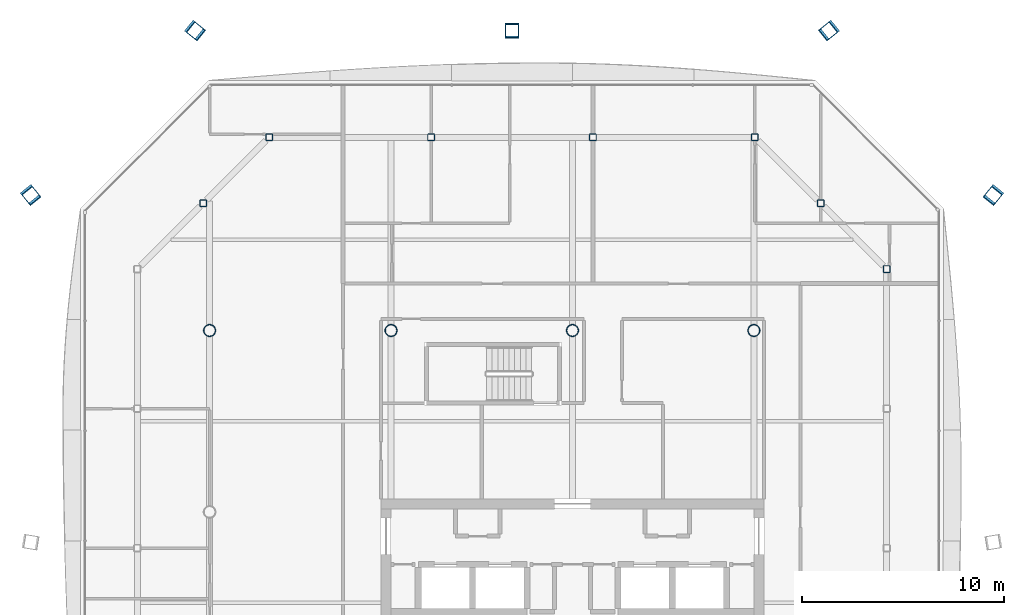
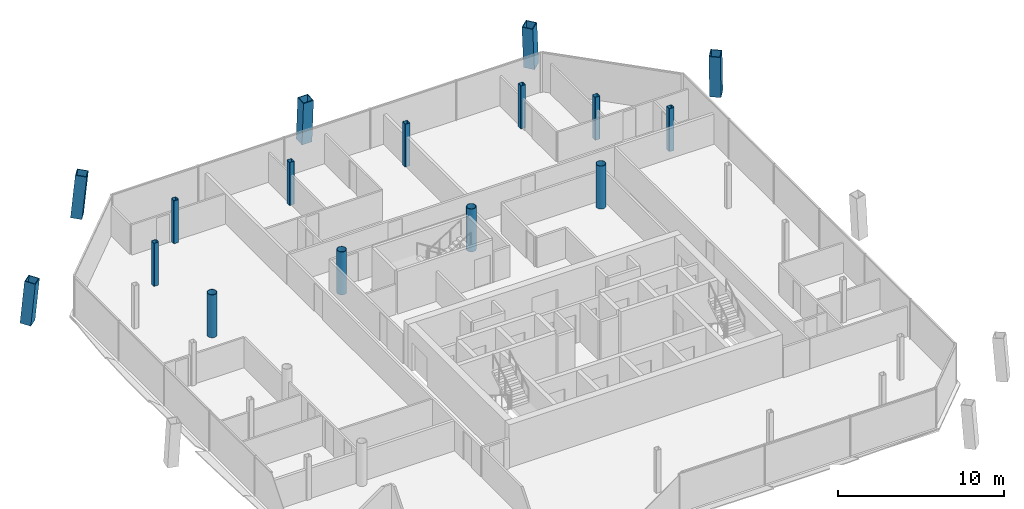
# One storey, part 3 of 20: 16 columns.
"""IFC4 building model written with IfcOpenShell, lengths in metres."""

from ifc_helpers import new_model, si_unit, direction, frame, origin, origin_2d, place, context, subcontext, project, spatial, hollow_rectangle, hollow_circle, extrude, material, material_profile, profile_set, type_object, element, save


model = new_model("IFC4")

# Units and contexts
model_context = context("Model", 3, precision=1e-05, world=origin(), true_north=direction((0.0, 1.0)))
body_context = subcontext(model_context, "Body", "Model", "MODEL_VIEW")
ifc_project = project(units=[si_unit("LENGTHUNIT", "METRE"), si_unit("AREAUNIT", "SQUARE_METRE"), si_unit("VOLUMEUNIT", "CUBIC_METRE"), si_unit("PLANEANGLEUNIT", "RADIAN"), si_unit("MASSUNIT", "GRAM", prefix="KILO")], contexts=[model_context])

# Site, building, storey
site_placement = place(None, origin())
site = spatial("IfcSite", under=ifc_project, at=site_placement, CompositionType="ELEMENT")
building_placement = place(site_placement, origin())
building = spatial("IfcBuilding", under=site, at=building_placement, Name="Tskaro Facet Tower", CompositionType="ELEMENT")
storey_placement = place(building_placement, frame((0.0, 0.0, 178.5)))
storey = spatial("IfcBuildingStorey", under=building, at=storey_placement, Name="L44", CompositionType="ELEMENT", Elevation=178.5)

# Columns
ifc_material_1 = material(Name="Steel S460M", Category="steel")
ifc_material_profile_1 = material_profile(ifc_material_1, hollow_rectangle(XDim=0.699951171875, YDim=0.699951171875, WallThickness=0.044921875, at=origin_2d()), Name="BOX 700x700x45")
ifc_profile_set_1 = profile_set([ifc_material_profile_1], Name="Steel S460M")
column_type_1 = type_object("IfcColumnType", Name="BOX 700x700x45 mega column", PredefinedType="COLUMN", material=ifc_profile_set_1)
for number, where, z_axis, x_axis, name in (
    (1, (20.910888671875, 15.762939453125, 0.0), (-0.057805961616, -0.071775092527, 0.995744348161), (0.778822091241, -0.627244888537, 0.0), "BOX 700x700x45 MC06/4"),
    (2, (12.762939453125, 23.910888671875, 0.0), (-0.071775092527, -0.057805961616, 0.995744348161), (0.627244888537, -0.778822091241, 0.0), "BOX 700x700x45 MC07/4"),
):
    element("IfcColumn", number, at=place(storey_placement, frame(where, z_axis=z_axis, x_axis=x_axis)), inside=storey, type_object=column_type_1, Name=name, PredefinedType="COLUMN", context=body_context, shape_type="SweptSolid", body=[
        extrude(hollow_rectangle(XDim=0.699951171875, YDim=0.699951171875, WallThickness=0.044921875, at=origin_2d()), origin(), (0.0, 0.0, 1.0), 3.163330078125),
    ])
column_placement = place(storey_placement, frame((-3.0, 23.910888671875, 0.0), z_axis=(0.0, -0.057955437846, 0.998319171019), x_axis=(1.0, 0.0, 0.0)))
element("IfcColumn", 3, at=column_placement, inside=storey, type_object=column_type_1, Name="BOX 700x700x45 MC08/4", PredefinedType="COLUMN", context=body_context, shape_type="SweptSolid", body=[
    extrude(hollow_rectangle(XDim=0.699951171875, YDim=0.699951171875, WallThickness=0.044921875, at=origin_2d()), origin(), (0.0, 0.0, 1.0), 3.1552734375),
])
for number, where, z_axis, x_axis, name in (
    (4, (-18.762939453125, 23.910888671875, 0.0), (0.071775092527, -0.057805961616, 0.995744348161), (0.627244888537, 0.778822091241, 0.0), "BOX 700x700x45 MC09/4"),
    (5, (-26.910888671875, 15.762939453125, 0.0), (0.057805961616, -0.071775092527, 0.995744348161), (0.778822091241, 0.627244888537, 0.0), "BOX 700x700x45 MC10/4"),
):
    element("IfcColumn", number, at=place(storey_placement, frame(where, z_axis=z_axis, x_axis=x_axis)), inside=storey, type_object=column_type_1, Name=name, PredefinedType="COLUMN", context=body_context, shape_type="SweptSolid", body=[
        extrude(hollow_rectangle(XDim=0.699951171875, YDim=0.699951171875, WallThickness=0.044921875, at=origin_2d()), origin(), (0.0, 0.0, 1.0), 3.163330078125),
    ])
ifc_material_2 = material(Name="Steel S355J2H", Category="steel")
ifc_material_profile_2 = material_profile(ifc_material_2, hollow_circle(Radius=0.304931640625, WallThickness=0.030029296875, at=origin_2d()), Name="CHS 610x30")
ifc_profile_set_2 = profile_set([ifc_material_profile_2], Name="Steel S355J2H")
column_type_2 = type_object("IfcColumnType", Name="CHS 610x30 interior column", PredefinedType="COLUMN", material=ifc_profile_set_2)
for number, where, z_axis, x_axis, name in (
    (6, (-18.0, 9.0, 0.0), (0.0, 0.0, 1.0), (1.0, 0.0, 0.0), "CHS 610x30 C2E/4"),
    (7, (-9.0, 9.0, 0.0), (0.0, 0.0, 1.0), (1.0, 0.0, 0.0), "CHS 610x30 C3E/4"),
    (8, (0.0, 9.0, 0.0), (0.0, 0.0, 1.0), (1.0, 0.0, 0.0), "CHS 610x30 C4E/4"),
    (9, (9.0, 9.0, 0.0), (0.0, 0.0, 1.0), (1.0, 0.0, 0.0), "CHS 610x30 C5E/4"),
):
    element("IfcColumn", number, at=place(storey_placement, frame(where, z_axis=z_axis, x_axis=x_axis)), inside=storey, type_object=column_type_2, Name=name, PredefinedType="COLUMN", context=body_context, shape_type="SweptSolid", body=[
        extrude(hollow_circle(Radius=0.304931640625, WallThickness=0.030029296875, at=origin_2d()), origin(), (0.0, 0.0, 1.0), 3.14990234375),
    ])
ifc_material_profile_3 = material_profile(ifc_material_2, hollow_rectangle(XDim=0.35009765625, YDim=0.35009765625, WallThickness=0.02001953125, InnerFilletRadius=0.030029296875, OuterFilletRadius=0.050048828125, at=origin_2d()), Name="SHS 350x350x20")
ifc_profile_set_3 = profile_set([ifc_material_profile_3], Name="Steel S355J2H")
column_type_3 = type_object("IfcColumnType", Name="SHS 350x350x20 ring column", PredefinedType="COLUMN", material=ifc_profile_set_3)
for number, where, z_axis, x_axis, name in (
    (10, (15.5830078125, 12.0458984375, 0.0), (0.0, 0.0, 1.0), (1.0, 0.0, 0.0), "SHS 350x350x20 RNE-1/4"),
    (11, (12.31396484375, 15.31396484375, 0.0), (0.0, 0.0, 1.0), (1.0, 0.0, 0.0), "SHS 350x350x20 RNE-2/4"),
    (12, (9.0458984375, 18.5830078125, 0.0), (0.0, 0.0, 1.0), (1.0, 0.0, 0.0), "SHS 350x350x20 RN-1/4"),
    (13, (1.014892578125, 18.5830078125, 0.0), (0.0, 0.0, 1.0), (1.0, 0.0, 0.0), "SHS 350x350x20 RN-2/4"),
    (14, (-7.014892578125, 18.5830078125, 0.0), (0.0, 0.0, 1.0), (1.0, 0.0, 0.0), "SHS 350x350x20 RN-3/4"),
    (15, (-15.0458984375, 18.5830078125, 0.0), (0.0, 0.0, 1.0), (1.0, 0.0, 0.0), "SHS 350x350x20 RNW-1/4"),
    (16, (-18.31396484375, 15.31396484375, 0.0), (0.0, 0.0, 1.0), (1.0, 0.0, 0.0), "SHS 350x350x20 RNW-2/4"),
):
    element("IfcColumn", number, at=place(storey_placement, frame(where, z_axis=z_axis, x_axis=x_axis)), inside=storey, type_object=column_type_3, Name=name, PredefinedType="COLUMN", context=body_context, shape_type="SweptSolid", body=[
        extrude(hollow_rectangle(XDim=0.35009765625, YDim=0.35009765625, WallThickness=0.02001953125, InnerFilletRadius=0.030029296875, OuterFilletRadius=0.050048828125, at=origin_2d()), origin(), (0.0, 0.0, 1.0), 3.14990234375),
    ])

save(model, "model.ifc")
